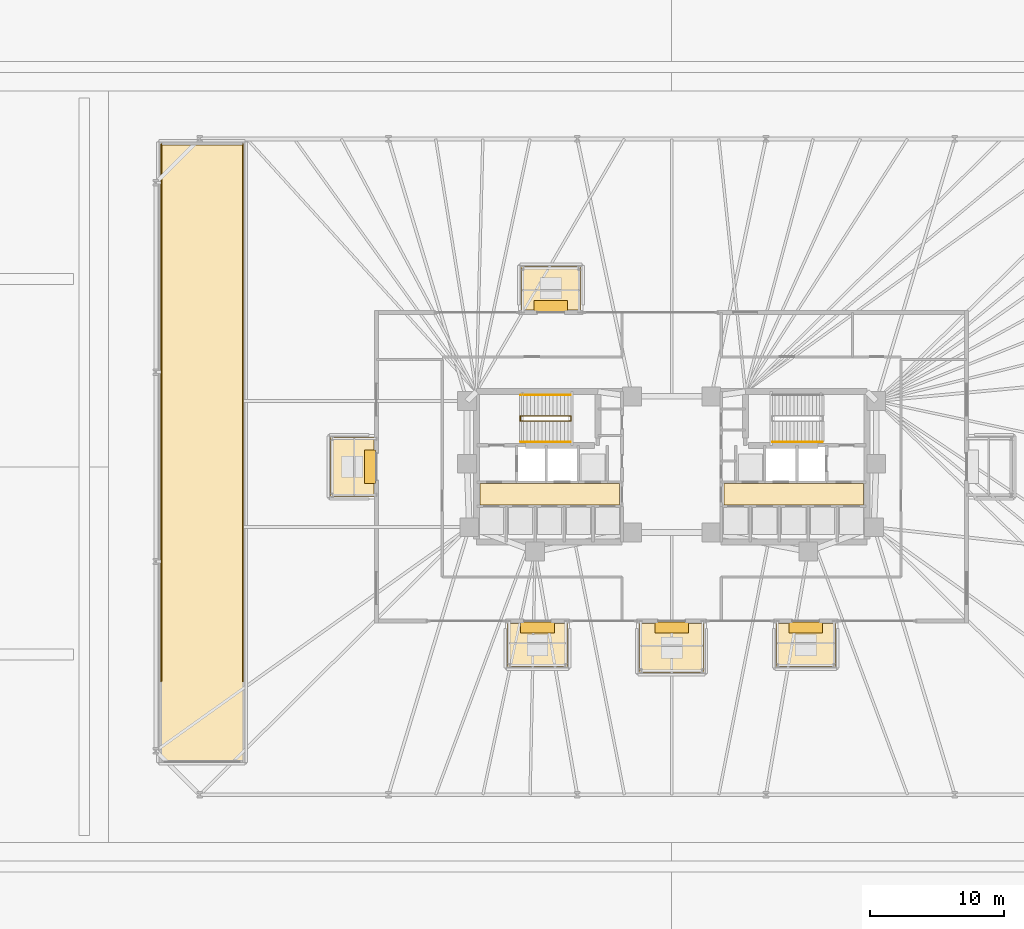
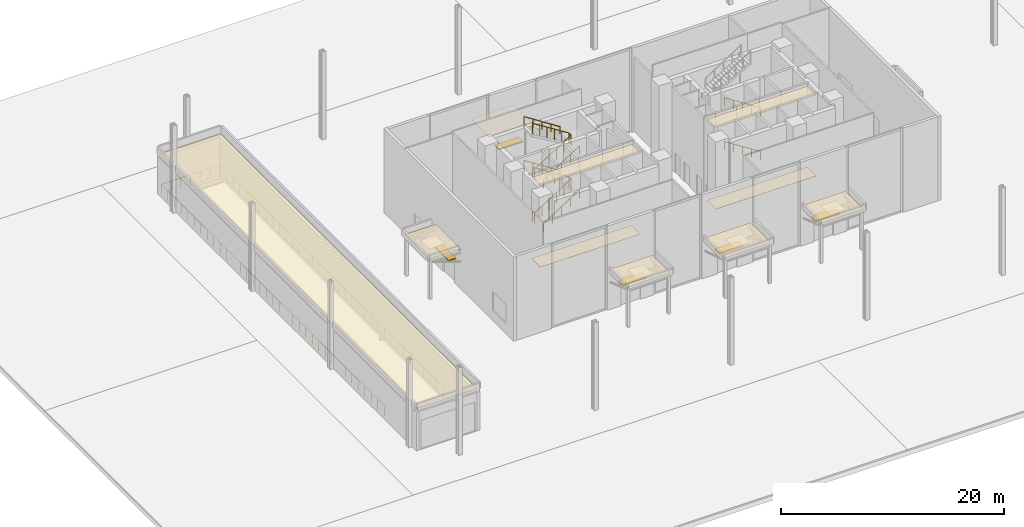
# One storey, part 22 of 24: 10 coverings, 9 railings, 5 shading devices.
"""IFC4 building model written with IfcOpenShell, lengths in metres."""

from ifc_helpers import new_model, si_unit, direction, frame, origin, origin_2d, place, context, subcontext, project, spatial, polyline, rectangle, circle, outline, extrude, material, layer, layer_set, type_object, element, save


model = new_model("IFC4")

# Units and contexts
model_context = context("Model", 3, precision=1e-05, world=origin(), true_north=direction((0.0, 1.0)))
body_context = subcontext(model_context, "Body", "Model", "MODEL_VIEW")
ifc_project = project(units=[si_unit("LENGTHUNIT", "METRE"), si_unit("AREAUNIT", "SQUARE_METRE"), si_unit("VOLUMEUNIT", "CUBIC_METRE"), si_unit("PLANEANGLEUNIT", "RADIAN"), si_unit("MASSUNIT", "GRAM", prefix="KILO")], contexts=[model_context])

# Site, building, storey
site_placement = place(None, origin())
site = spatial("IfcSite", under=ifc_project, at=site_placement, CompositionType="ELEMENT")
building_placement = place(site_placement, origin())
building = spatial("IfcBuilding", under=site, at=building_placement, Name="Menara Jurai Vektor", CompositionType="ELEMENT")
storey_placement = place(building_placement, origin())
storey = spatial("IfcBuildingStorey", under=building, at=storey_placement, Name="L00", CompositionType="ELEMENT", Elevation=0.0)

# Coverings
ifc_material_1 = material(Name="Mineral Fibre Acoustic Ceiling Tile", Category="gypsum")
ifc_layer_1 = layer(ifc_material_1, 0.02001953125)
ifc_layer_set_1 = layer_set([ifc_layer_1], Name="Mineral Fibre Acoustic Ceiling Tile")
covering_type_1 = type_object("IfcCoveringType", Name="COV-CEILING-ACOUSTIC", PredefinedType="CEILING", material=ifc_layer_set_1)
covering_1_placement = place(storey_placement, frame((0.0, 0.0, 8.8798828125)))
element("IfcCovering", 1, at=covering_1_placement, inside=storey, type_object=covering_type_1, Name="Acoustic Lift Lobby Ceiling W L00", PredefinedType="CEILING", context=body_context, shape_type="SweptSolid", body=[
    extrude(outline(polyline([(-14.300048828125, -2.85009765625), (-3.89990234375, -2.85009765625), (-3.89990234375, -1.25), (-14.300048828125, -1.25), (-14.300048828125, -2.85009765625)])), origin(), (0.0, 0.0, 1.0), 0.02001953125),
])
covering_2_placement = place(storey_placement, frame((0.0, 0.0, 8.8798828125)))
element("IfcCovering", 2, at=covering_2_placement, inside=storey, type_object=covering_type_1, Name="Acoustic Lift Lobby Ceiling E L00", PredefinedType="CEILING", context=body_context, shape_type="SweptSolid", body=[
    extrude(outline(polyline([(3.89990234375, -2.85009765625), (14.300048828125, -2.85009765625), (14.300048828125, -1.25), (3.89990234375, -1.25), (3.89990234375, -2.85009765625)])), origin(), (0.0, 0.0, 1.0), 0.02001953125),
])
ifc_material_2 = material(Name="Honed Granite Lobby Flooring", Category="masonry")
ifc_layer_2 = layer(ifc_material_2, 0.02490234375)
ifc_layer_set_2 = layer_set([ifc_layer_2], Name="Honed Granite Lobby Flooring")
covering_type_2 = type_object("IfcCoveringType", Name="COV-FLOOR-STONE", PredefinedType="FLOORING", material=ifc_layer_set_2)
covering_3_placement = place(storey_placement, origin())
element("IfcCovering", 3, at=covering_3_placement, inside=storey, type_object=covering_type_2, Name="Granite Lift Lobby Flooring W L00", PredefinedType="FLOORING", context=body_context, shape_type="SweptSolid", body=[
    extrude(outline(polyline([(-14.300048828125, -2.85009765625), (-3.89990234375, -2.85009765625), (-3.89990234375, -1.25), (-14.300048828125, -1.25), (-14.300048828125, -2.85009765625)])), origin(), (0.0, 0.0, 1.0), 0.02490234375),
])
covering_4_placement = place(storey_placement, origin())
element("IfcCovering", 4, at=covering_4_placement, inside=storey, type_object=covering_type_2, Name="Granite Lift Lobby Flooring E L00", PredefinedType="FLOORING", context=body_context, shape_type="SweptSolid", body=[
    extrude(outline(polyline([(3.89990234375, -2.85009765625), (14.300048828125, -2.85009765625), (14.300048828125, -1.25), (3.89990234375, -1.25), (3.89990234375, -2.85009765625)])), origin(), (0.0, 0.0, 1.0), 0.02490234375),
])
ifc_material_3 = material(Name="Insulated Pale Metal Standing-Seam Roofing", Category="aluminium")
ifc_layer_3 = layer(ifc_material_3, 0.050048828125)
ifc_layer_set_3 = layer_set([ifc_layer_3], Name="Insulated Pale Metal Standing-Seam Roofing")
covering_type_3 = type_object("IfcCoveringType", Name="ENV-COV-ROOFING", PredefinedType="ROOFING", material=ifc_layer_set_3)
covering_5_placement = place(storey_placement, frame((0.0, 0.0, 4.3798828125)))
element("IfcCovering", 5, at=covering_5_placement, inside=storey, type_object=covering_type_3, Name="Entrance Canopy Standing-Seam Roofing E1", PredefinedType="ROOFING", context=body_context, shape_type="SweptSolid", body=[
    extrude(outline(polyline([(-7.780029296875, -11.679931640625), (-12.219970703125, -11.679931640625), (-12.219970703125, -14.919921875), (-7.780029296875, -14.919921875), (-7.780029296875, -11.679931640625)])), origin(), (0.0, 0.0, 1.0), 0.050048828125),
])
covering_6_placement = place(storey_placement, frame((0.0, 0.0, 4.3798828125)))
element("IfcCovering", 6, at=covering_6_placement, inside=storey, type_object=covering_type_3, Name="Entrance Canopy Standing-Seam Roofing E2", PredefinedType="ROOFING", context=body_context, shape_type="SweptSolid", body=[
    extrude(outline(polyline([(2.419921875, -11.679931640625), (-2.419921875, -11.679931640625), (-2.419921875, -15.320068359375), (2.419921875, -15.320068359375), (2.419921875, -11.679931640625)])), origin(), (0.0, 0.0, 1.0), 0.050048828125),
])
covering_7_placement = place(storey_placement, frame((0.0, 0.0, 4.3798828125)))
element("IfcCovering", 7, at=covering_7_placement, inside=storey, type_object=covering_type_3, Name="Entrance Canopy Standing-Seam Roofing E3", PredefinedType="ROOFING", context=body_context, shape_type="SweptSolid", body=[
    extrude(outline(polyline([(12.219970703125, -11.679931640625), (7.780029296875, -11.679931640625), (7.780029296875, -14.919921875), (12.219970703125, -14.919921875), (12.219970703125, -11.679931640625)])), origin(), (0.0, 0.0, 1.0), 0.050048828125),
])
covering_8_placement = place(storey_placement, frame((0.0, 0.0, 4.3798828125)))
element("IfcCovering", 8, at=covering_8_placement, inside=storey, type_object=covering_type_3, Name="Entrance Canopy Standing-Seam Roofing E4", PredefinedType="ROOFING", context=body_context, shape_type="SweptSolid", body=[
    extrude(outline(polyline([(-6.780029296875, 14.919921875), (-11.219970703125, 14.919921875), (-11.219970703125, 11.679931640625), (-6.780029296875, 11.679931640625), (-6.780029296875, 14.919921875)])), origin(), (0.0, 0.0, 1.0), 0.050048828125),
])
covering_9_placement = place(storey_placement, frame((0.0, 0.0, 4.3798828125)))
element("IfcCovering", 9, at=covering_9_placement, inside=storey, type_object=covering_type_3, Name="Entrance Canopy Standing-Seam Roofing E5", PredefinedType="ROOFING", context=body_context, shape_type="SweptSolid", body=[
    extrude(outline(polyline([(-22.179931640625, 2.219970703125), (-25.419921875, 2.219970703125), (-25.419921875, -2.219970703125), (-22.179931640625, -2.219970703125), (-22.179931640625, 2.219970703125)])), origin(), (0.0, 0.0, 1.0), 0.050048828125),
])
covering_10_placement = place(storey_placement, frame((0.0, 0.0, 4.419921875)))
element("IfcCovering", 10, at=covering_10_placement, inside=storey, type_object=covering_type_3, Name="Vehicle Ramp Headhouse Standing-Seam Roofing", PredefinedType="ROOFING", context=body_context, shape_type="SweptSolid", body=[
    extrude(outline(polyline([(-31.89990234375, 24.10009765625), (-38.10009765625, 24.10009765625), (-38.10009765625, -21.949951171875), (-31.89990234375, -21.949951171875), (-31.89990234375, 24.10009765625)])), origin(), (0.0, 0.0, 1.0), 0.050048828125),
])

# Shading devices
ifc_material_4 = material(Name="Anodised Pale Aluminium Sunshade Blade", Category="aluminium")
shading_device_type = type_object("IfcShadingDeviceType", Name="ENV-SHD-SUNSHADE", PredefinedType="USERDEFINED", material=ifc_material_4)
for number, where, z_axis, x_axis, name in (
    (11, (-10.0, -11.97998046875, 2.68994140625), (0.0, 0.0, 1.0), (1.0, 0.0, 0.0), "Doorway Pale-Metal Sunshade L00-E1"),
    (12, (0.0, -11.97998046875, 2.68994140625), (0.0, 0.0, 1.0), (1.0, 0.0, 0.0), "Doorway Pale-Metal Sunshade L00-E2"),
    (13, (10.0, -11.97998046875, 2.68994140625), (0.0, 0.0, 1.0), (1.0, 0.0, 0.0), "Doorway Pale-Metal Sunshade L00-E3"),
    (14, (-9.0, 11.97998046875, 2.68994140625), (0.0, 0.0, 1.0), (1.0, 0.0, 0.0), "Doorway Pale-Metal Sunshade L00-E4"),
    (15, (-22.47998046875, 0.0, 2.68994140625), (0.0, 0.0, 1.0), (0.0, 1.0, 0.0), "Doorway Pale-Metal Sunshade L00-E5"),
):
    element("IfcShadingDevice", number, at=place(storey_placement, frame(where, z_axis=z_axis, x_axis=x_axis)), inside=storey, type_object=shading_device_type, Name=name, ObjectType="SUNSHADE", PredefinedType="USERDEFINED", context=body_context, shape_type="SweptSolid", body=[
        extrude(rectangle(XDim=2.5, YDim=0.800048828125, at=origin_2d()), origin(), (0.0, 0.0, 1.0), 0.1201171875),
    ])

# Railings
ifc_material_5 = material(Name="Painted Galvanised Steel Balustrade", Category="steel")
railing_type_1 = type_object("IfcRailingType", Name="RAIL-STAIR-GUARD", PredefinedType="GUARDRAIL", material=ifc_material_5)
railing_1_placement = place(storey_placement, frame((-11.2900390625, 3.780029296875, 0.0)))
element("IfcRailing", 16, at=railing_1_placement, inside=storey, type_object=railing_type_1, Name="ST1 Stair Guardrail 1 L00", PredefinedType="GUARDRAIL", context=body_context, shape_type="SweptSolid", body=[
    extrude(circle(Radius=0.02392578125, at=origin_2d()), frame((0.0, 0.0, 1.1259765625), z_axis=(0.0, -1.0, 0.0), x_axis=(1.0, 0.0, 0.0)), (0.0, 0.0, 1.0), 0.360107421875),
    extrude(circle(Radius=0.02392578125, at=origin_2d()), frame((0.0, -0.360107421875, 1.1259765625), z_axis=(0.845501810675, 0.0, 0.533972553738), x_axis=(0.0, 1.0, 0.0)), (0.0, 0.0, 1.0), 4.494384765625),
    extrude(circle(Radius=0.02392578125, at=origin_2d()), frame((3.800048828125, -0.360107421875, 3.52587890625), z_axis=(0.0, 1.0, 0.0), x_axis=(-1.0, 0.0, 0.0)), (0.0, 0.0, 1.0), 0.360107421875),
    extrude(circle(Radius=0.02392578125, at=origin_2d()), frame((3.800048828125, 0.0, 3.52587890625), z_axis=(-0.845477286066, 0.0, 0.534011384473), x_axis=(0.0, -1.0, 0.0)), (0.0, 0.0, 1.0), 4.49462890625),
    extrude(circle(Radius=0.02099609375, at=origin_2d()), origin(), (0.0, 0.0, 1.0), 1.101806640625),
    extrude(circle(Radius=0.02099609375, at=origin_2d()), frame((0.0, -0.360107421875, 0.0)), (0.0, 0.0, 1.0), 1.101806640625),
    extrude(circle(Radius=0.02099609375, at=origin_2d()), frame((0.760009765625, -0.360107421875, 0.47998046875)), (0.0, 0.0, 1.0), 1.101806640625),
    extrude(circle(Radius=0.02099609375, at=origin_2d()), frame((1.52001953125, -0.360107421875, 0.9599609375)), (0.0, 0.0, 1.0), 1.101806640625),
    extrude(circle(Radius=0.02099609375, at=origin_2d()), frame((2.280029296875, -0.360107421875, 1.43994140625)), (0.0, 0.0, 1.0), 1.101806640625),
    extrude(circle(Radius=0.02099609375, at=origin_2d()), frame((3.0400390625, -0.360107421875, 1.919921875)), (0.0, 0.0, 1.0), 1.101806640625),
    extrude(circle(Radius=0.02099609375, at=origin_2d()), frame((3.800048828125, -0.360107421875, 2.39990234375)), (0.0, 0.0, 1.0), 1.101806640625),
    extrude(circle(Radius=0.02099609375, at=origin_2d()), frame((3.800048828125, 0.0, 2.39990234375)), (0.0, 0.0, 1.0), 1.101806640625),
    extrude(circle(Radius=0.02099609375, at=origin_2d()), frame((3.0400390625, 0.0, 2.8798828125)), (0.0, 0.0, 1.0), 1.101806640625),
    extrude(circle(Radius=0.02099609375, at=origin_2d()), frame((2.280029296875, 0.0, 3.35986328125)), (0.0, 0.0, 1.0), 1.101806640625),
    extrude(circle(Radius=0.02099609375, at=origin_2d()), frame((1.52001953125, 0.0, 3.840087890625)), (0.0, 0.0, 1.0), 1.101806640625),
    extrude(circle(Radius=0.02099609375, at=origin_2d()), frame((0.760009765625, 0.0, 4.320068359375)), (0.0, 0.0, 1.0), 1.101806640625),
    extrude(circle(Radius=0.02099609375, at=origin_2d()), frame((0.0, 0.0, 4.800048828125)), (0.0, 0.0, 1.0), 1.101806640625),
])
railing_2_placement = place(storey_placement, frame((-11.2900390625, 3.780029296875, 4.800048828125)))
element("IfcRailing", 17, at=railing_2_placement, inside=storey, type_object=railing_type_1, Name="ST1 Stair Guardrail 2 L00", PredefinedType="GUARDRAIL", context=body_context, shape_type="SweptSolid", body=[
    extrude(circle(Radius=0.02392578125, at=origin_2d()), frame((0.0, 0.0, 1.1259765625), z_axis=(0.0, -1.0, 0.0), x_axis=(1.0, 0.0, 0.0)), (0.0, 0.0, 1.0), 0.360107421875),
    extrude(circle(Radius=0.02392578125, at=origin_2d()), frame((0.0, -0.360107421875, 1.1259765625), z_axis=(0.845501810675, 0.0, 0.533972553738), x_axis=(0.0, 1.0, 0.0)), (0.0, 0.0, 1.0), 4.494384765625),
    extrude(circle(Radius=0.02392578125, at=origin_2d()), frame((3.800048828125, -0.360107421875, 3.52587890625), z_axis=(0.0, 1.0, 0.0), x_axis=(-1.0, 0.0, 0.0)), (0.0, 0.0, 1.0), 0.360107421875),
    extrude(circle(Radius=0.02392578125, at=origin_2d()), frame((3.800048828125, 0.0, 3.52587890625), z_axis=(-0.845477286066, 0.0, 0.534011384473), x_axis=(0.0, -1.0, 0.0)), (0.0, 0.0, 1.0), 4.49462890625),
    extrude(circle(Radius=0.02099609375, at=origin_2d()), origin(), (0.0, 0.0, 1.0), 1.101806640625),
    extrude(circle(Radius=0.02099609375, at=origin_2d()), frame((0.0, -0.360107421875, 0.0)), (0.0, 0.0, 1.0), 1.101806640625),
    extrude(circle(Radius=0.02099609375, at=origin_2d()), frame((0.760009765625, -0.360107421875, 0.47998046875)), (0.0, 0.0, 1.0), 1.101806640625),
    extrude(circle(Radius=0.02099609375, at=origin_2d()), frame((1.52001953125, -0.360107421875, 0.9599609375)), (0.0, 0.0, 1.0), 1.101806640625),
    extrude(circle(Radius=0.02099609375, at=origin_2d()), frame((2.280029296875, -0.360107421875, 1.43994140625)), (0.0, 0.0, 1.0), 1.101806640625),
    extrude(circle(Radius=0.02099609375, at=origin_2d()), frame((3.0400390625, -0.360107421875, 1.919921875)), (0.0, 0.0, 1.0), 1.101806640625),
    extrude(circle(Radius=0.02099609375, at=origin_2d()), frame((3.800048828125, -0.360107421875, 2.39990234375)), (0.0, 0.0, 1.0), 1.101806640625),
    extrude(circle(Radius=0.02099609375, at=origin_2d()), frame((3.800048828125, 0.0, 2.39990234375)), (0.0, 0.0, 1.0), 1.101806640625),
    extrude(circle(Radius=0.02099609375, at=origin_2d()), frame((3.0400390625, 0.0, 2.8798828125)), (0.0, 0.0, 1.0), 1.101806640625),
    extrude(circle(Radius=0.02099609375, at=origin_2d()), frame((2.280029296875, 0.0, 3.35986328125)), (0.0, 0.0, 1.0), 1.101806640625),
    extrude(circle(Radius=0.02099609375, at=origin_2d()), frame((1.52001953125, 0.0, 3.840087890625)), (0.0, 0.0, 1.0), 1.101806640625),
    extrude(circle(Radius=0.02099609375, at=origin_2d()), frame((0.760009765625, 0.0, 4.320068359375)), (0.0, 0.0, 1.0), 1.101806640625),
    extrude(circle(Radius=0.02099609375, at=origin_2d()), frame((0.0, 0.0, 4.800048828125)), (0.0, 0.0, 1.0), 1.101806640625),
])
railing_3_placement = place(storey_placement, frame((-38.050048828125, -16.0, 0.0)))
element("IfcRailing", 18, at=railing_3_placement, inside=storey, type_object=railing_type_1, Name="L00 Vehicle Ramp Void Guardrail", PredefinedType="GUARDRAIL", context=body_context, shape_type="SweptSolid", body=[
    extrude(circle(Radius=0.02392578125, at=origin_2d()), frame((0.0, 0.0, 1.1259765625), z_axis=(0.0, 1.0, 0.0), x_axis=(-1.0, 0.0, 0.0)), (0.0, 0.0, 1.0), 40.050048828125),
    extrude(circle(Radius=0.02392578125, at=origin_2d()), frame((0.0, 40.050048828125, 1.1259765625), z_axis=(1.0, 0.0, 0.0), x_axis=(0.0, 1.0, 0.0)), (0.0, 0.0, 1.0), 6.10009765625),
    extrude(circle(Radius=0.02392578125, at=origin_2d()), frame((6.10009765625, 40.050048828125, 1.1259765625), z_axis=(0.0, -1.0, 0.0), x_axis=(1.0, 0.0, 0.0)), (0.0, 0.0, 1.0), 40.050048828125),
    extrude(circle(Radius=0.02099609375, at=origin_2d()), origin(), (0.0, 0.0, 1.0), 1.101806640625),
    extrude(circle(Radius=0.02099609375, at=origin_2d()), frame((0.0, 1.177978515625, 0.0)), (0.0, 0.0, 1.0), 1.101806640625),
    extrude(circle(Radius=0.02099609375, at=origin_2d()), frame((0.0, 2.35595703125, 0.0)), (0.0, 0.0, 1.0), 1.101806640625),
    extrude(circle(Radius=0.02099609375, at=origin_2d()), frame((0.0, 3.533935546875, 0.0)), (0.0, 0.0, 1.0), 1.101806640625),
    extrude(circle(Radius=0.02099609375, at=origin_2d()), frame((0.0, 4.711669921875, 0.0)), (0.0, 0.0, 1.0), 1.101806640625),
    extrude(circle(Radius=0.02099609375, at=origin_2d()), frame((0.0, 5.8896484375, 0.0)), (0.0, 0.0, 1.0), 1.101806640625),
    extrude(circle(Radius=0.02099609375, at=origin_2d()), frame((0.0, 7.067626953125, 0.0)), (0.0, 0.0, 1.0), 1.101806640625),
    extrude(circle(Radius=0.02099609375, at=origin_2d()), frame((0.0, 8.24560546875, 0.0)), (0.0, 0.0, 1.0), 1.101806640625),
    extrude(circle(Radius=0.02099609375, at=origin_2d()), frame((0.0, 9.423583984375, 0.0)), (0.0, 0.0, 1.0), 1.101806640625),
    extrude(circle(Radius=0.02099609375, at=origin_2d()), frame((0.0, 10.6015625, 0.0)), (0.0, 0.0, 1.0), 1.101806640625),
    extrude(circle(Radius=0.02099609375, at=origin_2d()), frame((0.0, 11.779541015625, 0.0)), (0.0, 0.0, 1.0), 1.101806640625),
    extrude(circle(Radius=0.02099609375, at=origin_2d()), frame((0.0, 12.957275390625, 0.0)), (0.0, 0.0, 1.0), 1.101806640625),
    extrude(circle(Radius=0.02099609375, at=origin_2d()), frame((0.0, 14.13525390625, 0.0)), (0.0, 0.0, 1.0), 1.101806640625),
    extrude(circle(Radius=0.02099609375, at=origin_2d()), frame((0.0, 15.313232421875, 0.0)), (0.0, 0.0, 1.0), 1.101806640625),
    extrude(circle(Radius=0.02099609375, at=origin_2d()), frame((0.0, 16.4912109375, 0.0)), (0.0, 0.0, 1.0), 1.101806640625),
    extrude(circle(Radius=0.02099609375, at=origin_2d()), frame((0.0, 17.669189453125, 0.0)), (0.0, 0.0, 1.0), 1.101806640625),
    extrude(circle(Radius=0.02099609375, at=origin_2d()), frame((0.0, 18.84716796875, 0.0)), (0.0, 0.0, 1.0), 1.101806640625),
    extrude(circle(Radius=0.02099609375, at=origin_2d()), frame((0.0, 20.02490234375, 0.0)), (0.0, 0.0, 1.0), 1.101806640625),
    extrude(circle(Radius=0.02099609375, at=origin_2d()), frame((0.0, 21.202880859375, 0.0)), (0.0, 0.0, 1.0), 1.101806640625),
    extrude(circle(Radius=0.02099609375, at=origin_2d()), frame((0.0, 22.380859375, 0.0)), (0.0, 0.0, 1.0), 1.101806640625),
    extrude(circle(Radius=0.02099609375, at=origin_2d()), frame((0.0, 23.558837890625, 0.0)), (0.0, 0.0, 1.0), 1.101806640625),
    extrude(circle(Radius=0.02099609375, at=origin_2d()), frame((0.0, 24.73681640625, 0.0)), (0.0, 0.0, 1.0), 1.101806640625),
    extrude(circle(Radius=0.02099609375, at=origin_2d()), frame((0.0, 25.914794921875, 0.0)), (0.0, 0.0, 1.0), 1.101806640625),
    extrude(circle(Radius=0.02099609375, at=origin_2d()), frame((0.0, 27.0927734375, 0.0)), (0.0, 0.0, 1.0), 1.101806640625),
    extrude(circle(Radius=0.02099609375, at=origin_2d()), frame((0.0, 28.2705078125, 0.0)), (0.0, 0.0, 1.0), 1.101806640625),
    extrude(circle(Radius=0.02099609375, at=origin_2d()), frame((0.0, 29.448486328125, 0.0)), (0.0, 0.0, 1.0), 1.101806640625),
    extrude(circle(Radius=0.02099609375, at=origin_2d()), frame((0.0, 30.62646484375, 0.0)), (0.0, 0.0, 1.0), 1.101806640625),
    extrude(circle(Radius=0.02099609375, at=origin_2d()), frame((0.0, 31.804443359375, 0.0)), (0.0, 0.0, 1.0), 1.101806640625),
    extrude(circle(Radius=0.02099609375, at=origin_2d()), frame((0.0, 32.982421875, 0.0)), (0.0, 0.0, 1.0), 1.101806640625),
    extrude(circle(Radius=0.02099609375, at=origin_2d()), frame((0.0, 34.160400390625, 0.0)), (0.0, 0.0, 1.0), 1.101806640625),
    extrude(circle(Radius=0.02099609375, at=origin_2d()), frame((0.0, 35.33837890625, 0.0)), (0.0, 0.0, 1.0), 1.101806640625),
    extrude(circle(Radius=0.02099609375, at=origin_2d()), frame((0.0, 36.51611328125, 0.0)), (0.0, 0.0, 1.0), 1.101806640625),
    extrude(circle(Radius=0.02099609375, at=origin_2d()), frame((0.0, 37.694091796875, 0.0)), (0.0, 0.0, 1.0), 1.101806640625),
    extrude(circle(Radius=0.02099609375, at=origin_2d()), frame((0.0, 38.8720703125, 0.0)), (0.0, 0.0, 1.0), 1.101806640625),
    extrude(circle(Radius=0.02099609375, at=origin_2d()), frame((0.0, 40.050048828125, 0.0)), (0.0, 0.0, 1.0), 1.101806640625),
    extrude(circle(Radius=0.02099609375, at=origin_2d()), frame((1.0166015625, 40.050048828125, 0.0)), (0.0, 0.0, 1.0), 1.101806640625),
    extrude(circle(Radius=0.02099609375, at=origin_2d()), frame((2.033447265625, 40.050048828125, 0.0)), (0.0, 0.0, 1.0), 1.101806640625),
    extrude(circle(Radius=0.02099609375, at=origin_2d()), frame((3.050048828125, 40.050048828125, 0.0)), (0.0, 0.0, 1.0), 1.101806640625),
    extrude(circle(Radius=0.02099609375, at=origin_2d()), frame((4.066650390625, 40.050048828125, 0.0)), (0.0, 0.0, 1.0), 1.101806640625),
    extrude(circle(Radius=0.02099609375, at=origin_2d()), frame((5.08349609375, 40.050048828125, 0.0)), (0.0, 0.0, 1.0), 1.101806640625),
    extrude(circle(Radius=0.02099609375, at=origin_2d()), frame((6.10009765625, 40.050048828125, 0.0)), (0.0, 0.0, 1.0), 1.101806640625),
    extrude(circle(Radius=0.02099609375, at=origin_2d()), frame((6.10009765625, 38.8720703125, 0.0)), (0.0, 0.0, 1.0), 1.101806640625),
    extrude(circle(Radius=0.02099609375, at=origin_2d()), frame((6.10009765625, 37.694091796875, 0.0)), (0.0, 0.0, 1.0), 1.101806640625),
    extrude(circle(Radius=0.02099609375, at=origin_2d()), frame((6.10009765625, 36.51611328125, 0.0)), (0.0, 0.0, 1.0), 1.101806640625),
    extrude(circle(Radius=0.02099609375, at=origin_2d()), frame((6.10009765625, 35.33837890625, 0.0)), (0.0, 0.0, 1.0), 1.101806640625),
    extrude(circle(Radius=0.02099609375, at=origin_2d()), frame((6.10009765625, 34.160400390625, 0.0)), (0.0, 0.0, 1.0), 1.101806640625),
    extrude(circle(Radius=0.02099609375, at=origin_2d()), frame((6.10009765625, 32.982421875, 0.0)), (0.0, 0.0, 1.0), 1.101806640625),
    extrude(circle(Radius=0.02099609375, at=origin_2d()), frame((6.10009765625, 31.804443359375, 0.0)), (0.0, 0.0, 1.0), 1.101806640625),
    extrude(circle(Radius=0.02099609375, at=origin_2d()), frame((6.10009765625, 30.62646484375, 0.0)), (0.0, 0.0, 1.0), 1.101806640625),
    extrude(circle(Radius=0.02099609375, at=origin_2d()), frame((6.10009765625, 29.448486328125, 0.0)), (0.0, 0.0, 1.0), 1.101806640625),
    extrude(circle(Radius=0.02099609375, at=origin_2d()), frame((6.10009765625, 28.2705078125, 0.0)), (0.0, 0.0, 1.0), 1.101806640625),
    extrude(circle(Radius=0.02099609375, at=origin_2d()), frame((6.10009765625, 27.0927734375, 0.0)), (0.0, 0.0, 1.0), 1.101806640625),
    extrude(circle(Radius=0.02099609375, at=origin_2d()), frame((6.10009765625, 25.914794921875, 0.0)), (0.0, 0.0, 1.0), 1.101806640625),
    extrude(circle(Radius=0.02099609375, at=origin_2d()), frame((6.10009765625, 24.73681640625, 0.0)), (0.0, 0.0, 1.0), 1.101806640625),
    extrude(circle(Radius=0.02099609375, at=origin_2d()), frame((6.10009765625, 23.558837890625, 0.0)), (0.0, 0.0, 1.0), 1.101806640625),
    extrude(circle(Radius=0.02099609375, at=origin_2d()), frame((6.10009765625, 22.380859375, 0.0)), (0.0, 0.0, 1.0), 1.101806640625),
    extrude(circle(Radius=0.02099609375, at=origin_2d()), frame((6.10009765625, 21.202880859375, 0.0)), (0.0, 0.0, 1.0), 1.101806640625),
    extrude(circle(Radius=0.02099609375, at=origin_2d()), frame((6.10009765625, 20.02490234375, 0.0)), (0.0, 0.0, 1.0), 1.101806640625),
    extrude(circle(Radius=0.02099609375, at=origin_2d()), frame((6.10009765625, 18.84716796875, 0.0)), (0.0, 0.0, 1.0), 1.101806640625),
    extrude(circle(Radius=0.02099609375, at=origin_2d()), frame((6.10009765625, 17.669189453125, 0.0)), (0.0, 0.0, 1.0), 1.101806640625),
    extrude(circle(Radius=0.02099609375, at=origin_2d()), frame((6.10009765625, 16.4912109375, 0.0)), (0.0, 0.0, 1.0), 1.101806640625),
    extrude(circle(Radius=0.02099609375, at=origin_2d()), frame((6.10009765625, 15.313232421875, 0.0)), (0.0, 0.0, 1.0), 1.101806640625),
    extrude(circle(Radius=0.02099609375, at=origin_2d()), frame((6.10009765625, 14.13525390625, 0.0)), (0.0, 0.0, 1.0), 1.101806640625),
    extrude(circle(Radius=0.02099609375, at=origin_2d()), frame((6.10009765625, 12.957275390625, 0.0)), (0.0, 0.0, 1.0), 1.101806640625),
    extrude(circle(Radius=0.02099609375, at=origin_2d()), frame((6.10009765625, 11.779541015625, 0.0)), (0.0, 0.0, 1.0), 1.101806640625),
    extrude(circle(Radius=0.02099609375, at=origin_2d()), frame((6.10009765625, 10.6015625, 0.0)), (0.0, 0.0, 1.0), 1.101806640625),
    extrude(circle(Radius=0.02099609375, at=origin_2d()), frame((6.10009765625, 9.423583984375, 0.0)), (0.0, 0.0, 1.0), 1.101806640625),
    extrude(circle(Radius=0.02099609375, at=origin_2d()), frame((6.10009765625, 8.24560546875, 0.0)), (0.0, 0.0, 1.0), 1.101806640625),
    extrude(circle(Radius=0.02099609375, at=origin_2d()), frame((6.10009765625, 7.067626953125, 0.0)), (0.0, 0.0, 1.0), 1.101806640625),
    extrude(circle(Radius=0.02099609375, at=origin_2d()), frame((6.10009765625, 5.8896484375, 0.0)), (0.0, 0.0, 1.0), 1.101806640625),
    extrude(circle(Radius=0.02099609375, at=origin_2d()), frame((6.10009765625, 4.711669921875, 0.0)), (0.0, 0.0, 1.0), 1.101806640625),
    extrude(circle(Radius=0.02099609375, at=origin_2d()), frame((6.10009765625, 3.533935546875, 0.0)), (0.0, 0.0, 1.0), 1.101806640625),
    extrude(circle(Radius=0.02099609375, at=origin_2d()), frame((6.10009765625, 2.35595703125, 0.0)), (0.0, 0.0, 1.0), 1.101806640625),
    extrude(circle(Radius=0.02099609375, at=origin_2d()), frame((6.10009765625, 1.177978515625, 0.0)), (0.0, 0.0, 1.0), 1.101806640625),
    extrude(circle(Radius=0.02099609375, at=origin_2d()), frame((6.10009765625, 0.0, 0.0)), (0.0, 0.0, 1.0), 1.101806640625),
])
ifc_material_6 = material(Name="Brushed Stainless Steel Handrail", Category="steel")
railing_type_2 = type_object("IfcRailingType", Name="RAIL-STAIR-HAND", PredefinedType="HANDRAIL", material=ifc_material_6)
railing_4_placement = place(storey_placement, frame((-11.25, 1.860107421875, 0.0)))
element("IfcRailing", 19, at=railing_4_placement, inside=storey, type_object=railing_type_2, Name="ST1 Stair Handrail 1 L00", PredefinedType="HANDRAIL", context=body_context, shape_type="SweptSolid", body=[
    extrude(circle(Radius=0.02392578125, at=origin_2d()), frame((0.0, 0.0, 0.89599609375), z_axis=(0.840304752313, 0.0, 0.542114308278), x_axis=(0.0, 1.0, 0.0)), (0.0, 0.0, 1.0), 4.427001953125),
    extrude(circle(Radius=0.02099609375, at=origin_2d()), origin(), (0.0, 0.0, 1.0), 0.871826171875),
    extrude(circle(Radius=0.02099609375, at=origin_2d()), frame((0.929931640625, 0.0, 0.60009765625)), (0.0, 0.0, 1.0), 0.871826171875),
    extrude(circle(Radius=0.02099609375, at=origin_2d()), frame((1.85986328125, 0.0, 1.199951171875)), (0.0, 0.0, 1.0), 0.871826171875),
    extrude(circle(Radius=0.02099609375, at=origin_2d()), frame((2.7900390625, 0.0, 1.7998046875)), (0.0, 0.0, 1.0), 0.871826171875),
    extrude(circle(Radius=0.02099609375, at=origin_2d()), frame((3.719970703125, 0.0, 2.39990234375)), (0.0, 0.0, 1.0), 0.871826171875),
])
railing_5_placement = place(storey_placement, frame((-7.530029296875, 5.340087890625, 2.39990234375)))
element("IfcRailing", 20, at=railing_5_placement, inside=storey, type_object=railing_type_2, Name="ST1 Stair Handrail 2 L00", PredefinedType="HANDRAIL", context=body_context, shape_type="SweptSolid", body=[
    extrude(circle(Radius=0.02392578125, at=origin_2d()), frame((0.0, 0.0, 0.89599609375), z_axis=(-0.840279629535, 0.0, 0.542153247881), x_axis=(0.0, -1.0, 0.0)), (0.0, 0.0, 1.0), 4.427001953125),
    extrude(circle(Radius=0.02099609375, at=origin_2d()), origin(), (0.0, 0.0, 1.0), 0.871826171875),
    extrude(circle(Radius=0.02099609375, at=origin_2d()), frame((-0.929931640625, 0.0, 0.60009765625)), (0.0, 0.0, 1.0), 0.871826171875),
    extrude(circle(Radius=0.02099609375, at=origin_2d()), frame((-1.85986328125, 0.0, 1.2001953125)), (0.0, 0.0, 1.0), 0.871826171875),
    extrude(circle(Radius=0.02099609375, at=origin_2d()), frame((-2.7900390625, 0.0, 1.800048828125)), (0.0, 0.0, 1.0), 0.871826171875),
    extrude(circle(Radius=0.02099609375, at=origin_2d()), frame((-3.719970703125, 0.0, 2.400146484375)), (0.0, 0.0, 1.0), 0.871826171875),
])
railing_6_placement = place(storey_placement, frame((-11.25, 1.860107421875, 4.800048828125)))
element("IfcRailing", 21, at=railing_6_placement, inside=storey, type_object=railing_type_2, Name="ST1 Stair Handrail 3 L00", PredefinedType="HANDRAIL", context=body_context, shape_type="SweptSolid", body=[
    extrude(circle(Radius=0.02392578125, at=origin_2d()), frame((0.0, 0.0, 0.89599609375), z_axis=(0.840304752313, 0.0, 0.542114308278), x_axis=(0.0, 1.0, 0.0)), (0.0, 0.0, 1.0), 4.427001953125),
    extrude(circle(Radius=0.02099609375, at=origin_2d()), origin(), (0.0, 0.0, 1.0), 0.871826171875),
    extrude(circle(Radius=0.02099609375, at=origin_2d()), frame((0.929931640625, 0.0, 0.60009765625)), (0.0, 0.0, 1.0), 0.871826171875),
    extrude(circle(Radius=0.02099609375, at=origin_2d()), frame((1.85986328125, 0.0, 1.199951171875)), (0.0, 0.0, 1.0), 0.871826171875),
    extrude(circle(Radius=0.02099609375, at=origin_2d()), frame((2.7900390625, 0.0, 1.7998046875)), (0.0, 0.0, 1.0), 0.871826171875),
    extrude(circle(Radius=0.02099609375, at=origin_2d()), frame((3.719970703125, 0.0, 2.39990234375)), (0.0, 0.0, 1.0), 0.871826171875),
])
railing_7_placement = place(storey_placement, frame((-7.530029296875, 5.340087890625, 7.199951171875)))
element("IfcRailing", 22, at=railing_7_placement, inside=storey, type_object=railing_type_2, Name="ST1 Stair Handrail 4 L00", PredefinedType="HANDRAIL", context=body_context, shape_type="SweptSolid", body=[
    extrude(circle(Radius=0.02392578125, at=origin_2d()), frame((0.0, 0.0, 0.89599609375), z_axis=(-0.840279629535, 0.0, 0.542153247881), x_axis=(0.0, -1.0, 0.0)), (0.0, 0.0, 1.0), 4.427001953125),
    extrude(circle(Radius=0.02099609375, at=origin_2d()), origin(), (0.0, 0.0, 1.0), 0.871826171875),
    extrude(circle(Radius=0.02099609375, at=origin_2d()), frame((-0.929931640625, 0.0, 0.60009765625)), (0.0, 0.0, 1.0), 0.871826171875),
    extrude(circle(Radius=0.02099609375, at=origin_2d()), frame((-1.85986328125, 0.0, 1.2001953125)), (0.0, 0.0, 1.0), 0.871826171875),
    extrude(circle(Radius=0.02099609375, at=origin_2d()), frame((-2.7900390625, 0.0, 1.800048828125)), (0.0, 0.0, 1.0), 0.871826171875),
    extrude(circle(Radius=0.02099609375, at=origin_2d()), frame((-3.719970703125, 0.0, 2.400146484375)), (0.0, 0.0, 1.0), 0.871826171875),
])
for number, where, name in (
    (23, (11.25, 1.860107421875, 0.0), "ST2 Stair Handrail 1 L00"),
    (24, (11.25, 1.860107421875, 4.800048828125), "ST2 Stair Handrail 3 L00"),
):
    element("IfcRailing", number, at=place(storey_placement, frame(where)), inside=storey, type_object=railing_type_2, Name=name, PredefinedType="HANDRAIL", context=body_context, shape_type="SweptSolid", body=[
        extrude(circle(Radius=0.02392578125, at=origin_2d()), frame((0.0, 0.0, 0.89599609375), z_axis=(-0.840304752313, 0.0, 0.542114308278), x_axis=(0.0, -1.0, 0.0)), (0.0, 0.0, 1.0), 4.427001953125),
        extrude(circle(Radius=0.02099609375, at=origin_2d()), origin(), (0.0, 0.0, 1.0), 0.871826171875),
        extrude(circle(Radius=0.02099609375, at=origin_2d()), frame((-0.929931640625, 0.0, 0.60009765625)), (0.0, 0.0, 1.0), 0.871826171875),
        extrude(circle(Radius=0.02099609375, at=origin_2d()), frame((-1.85986328125, 0.0, 1.199951171875)), (0.0, 0.0, 1.0), 0.871826171875),
        extrude(circle(Radius=0.02099609375, at=origin_2d()), frame((-2.7900390625, 0.0, 1.7998046875)), (0.0, 0.0, 1.0), 0.871826171875),
        extrude(circle(Radius=0.02099609375, at=origin_2d()), frame((-3.719970703125, 0.0, 2.39990234375)), (0.0, 0.0, 1.0), 0.871826171875),
    ])

save(model, "model.ifc")
